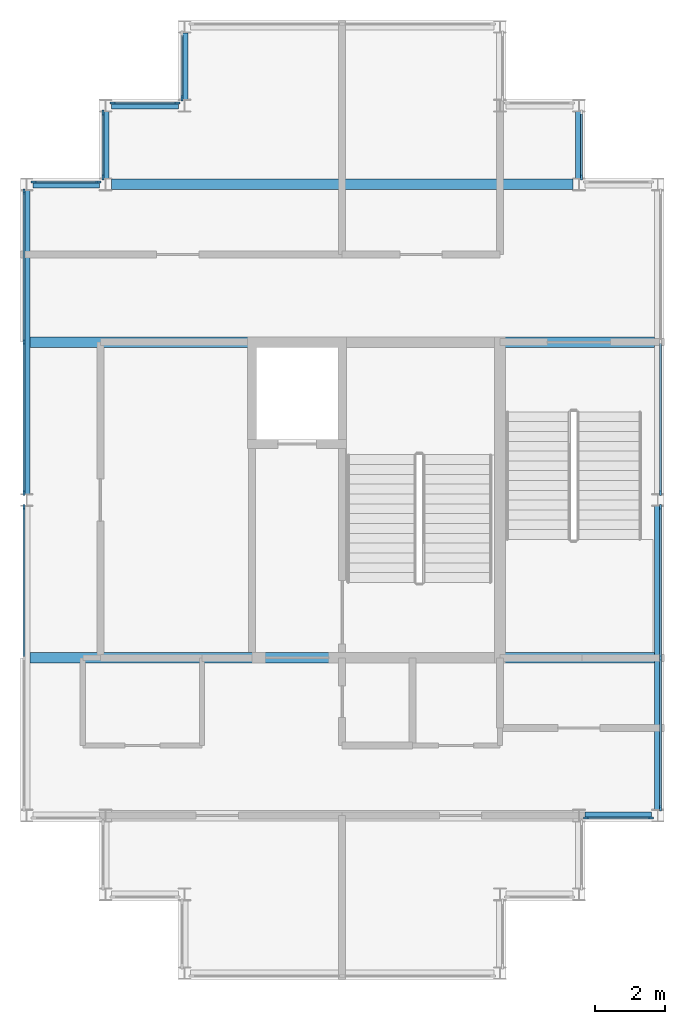
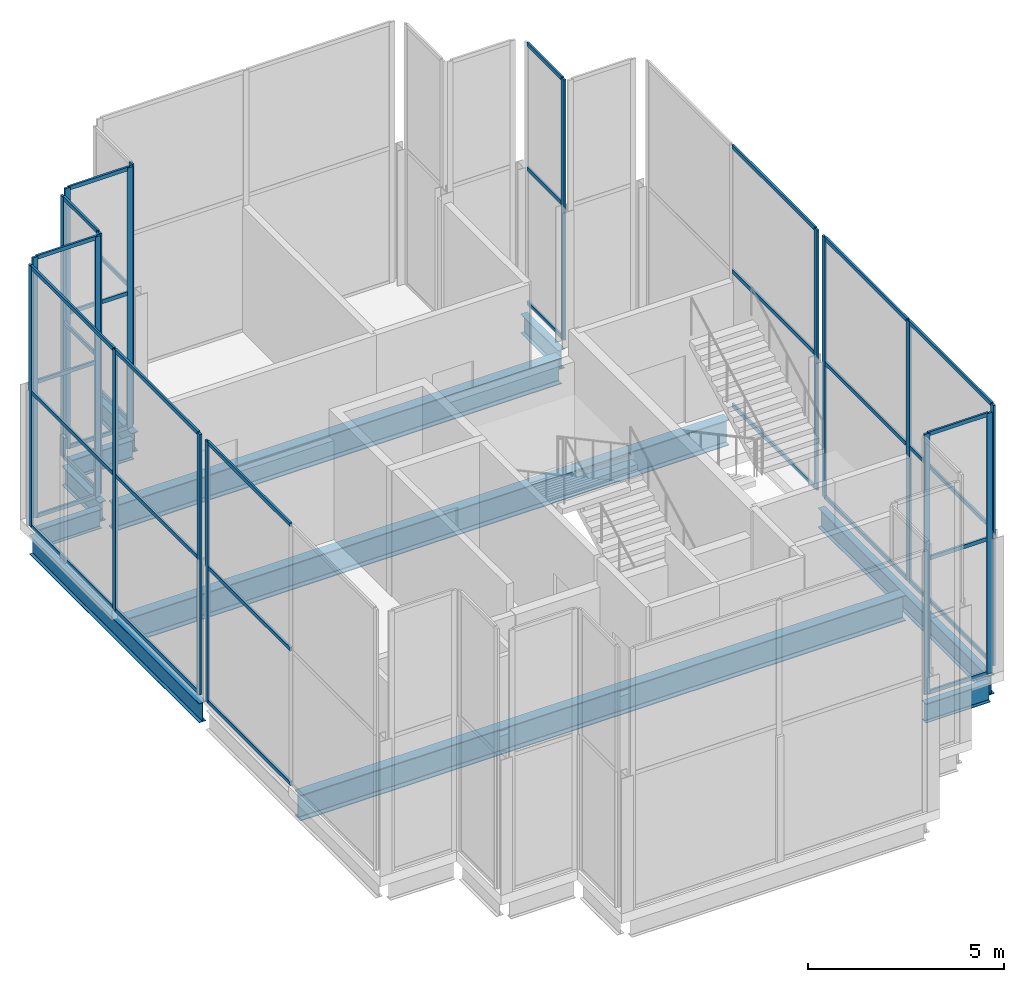
# One storey, part 2 of 8: 53 members, 11 beams, 10 elements without a shape of their own.
"""IFC4 building model written with IfcOpenShell, lengths in metres."""

import ifcopenshell
import ifcopenshell.guid

model = None  # the IFC model being written
_history = None  # IfcOwnerHistory: only IFC2X3 demands one
_inside = {}  # id of a spatial element -> (the spatial element, [elements in it])
_under = {}  # id of a project, library or spatial element -> (it, [spatial elements below it])
_declared = {}  # id of a project -> (the project, [libraries it declares])
_typed = {}  # id of a type object -> (the type object, [elements of that type])
_made_of = {}  # id of a material, layer set ... -> (it, [elements and type objects made of it])


def new_model(schema):
    """Start an empty IFC model of exactly this schema.

    Asked for "IFC4X3", IfcOpenShell would pick the latest addendum, in which some entities
    have other attributes; the version numbers below select the first issue.
    IFC2X3 requires an IfcOwnerHistory on every rooted entity: one is made here for all.
    """
    global model, _history
    if schema == "IFC4X3":
        model = ifcopenshell.file(schema_version=(4, 3, 0, 0))
    else:
        model = ifcopenshell.file(schema=schema)
    _inside.clear()
    _under.clear()
    _declared.clear()
    _typed.clear()
    _made_of.clear()
    _history = None
    if model.schema == "IFC2X3":
        org = make("IfcOrganization", Name="unknown")
        user = make(
            "IfcPersonAndOrganization",
            ThePerson=make("IfcPerson", FamilyName="unknown"),
            TheOrganization=org,
        )
        app = make(
            "IfcApplication",
            ApplicationDeveloper=org,
            Version="unknown",
            ApplicationFullName="unknown",
            ApplicationIdentifier="unknown",
        )
        _history = make(
            "IfcOwnerHistory",
            OwningUser=user,
            OwningApplication=app,
            ChangeAction="ADDED",
            CreationDate=0,
        )
    return model


def make(cls, **values):
    """One entity of the class cls with the attributes given. An attribute that is None is left unset."""
    return model.create_entity(
        cls, **{name: value for name, value in values.items() if value is not None}
    )


def rooted(cls, **values):
    """An entity with a GlobalId (a new one), such as an element, a storey or a relation."""
    return make(cls, GlobalId=ifcopenshell.guid.new(), OwnerHistory=_history, **values)


def si_unit(unit_type, name, prefix=None):
    """IfcSIUnit, for example si_unit("LENGTHUNIT", "METRE", prefix="MILLI")."""
    return make("IfcSIUnit", UnitType=unit_type, Prefix=prefix, Name=name)


def assignment(units):
    """IfcUnitAssignment: the units of a project."""
    return None if units is None else make("IfcUnitAssignment", Units=units)


def point(xyz):
    """IfcCartesianPoint."""
    return None if xyz is None else make("IfcCartesianPoint", Coordinates=xyz)


def direction(xyz):
    """IfcDirection."""
    return None if xyz is None else make("IfcDirection", DirectionRatios=xyz)


def frame(location, z_axis=None, x_axis=None):
    """IfcAxis2Placement3D, a coordinate frame: its origin and axes. An axis left out is left unset."""
    return make(
        "IfcAxis2Placement3D",
        Location=point(location),
        Axis=direction(z_axis),
        RefDirection=direction(x_axis),
    )


def frame_2d(location, x_axis=None):
    """IfcAxis2Placement2D, a coordinate frame in the plane: its origin and x axis."""
    return make(
        "IfcAxis2Placement2D", Location=point(location), RefDirection=direction(x_axis)
    )


def origin():
    """The frame at (0, 0, 0) with its axes left unset."""
    return frame((0.0, 0.0, 0.0))


def origin_2d():
    """The frame at (0, 0) in the plane with its x axis left unset."""
    return frame_2d((0.0, 0.0))


def place(relative_to, where):
    """IfcLocalPlacement: puts the frame where relative to a parent placement (None: the world)."""
    return make(
        "IfcLocalPlacement", PlacementRelTo=relative_to, RelativePlacement=where
    )


def context(
    kind, dimensions, precision=None, world=None, true_north=None, identifier=None
):
    """IfcGeometricRepresentationContext, for example the 3D "Model" context."""
    return make(
        "IfcGeometricRepresentationContext",
        ContextIdentifier=identifier,
        ContextType=kind,
        CoordinateSpaceDimension=dimensions,
        Precision=precision,
        WorldCoordinateSystem=world,
        TrueNorth=true_north,
    )


def subcontext(parent, identifier, kind, view, scale=None):
    """IfcGeometricRepresentationSubContext, for example "Body" below "Model"."""
    return make(
        "IfcGeometricRepresentationSubContext",
        ContextIdentifier=identifier,
        ContextType=kind,
        ParentContext=parent,
        TargetScale=scale,
        TargetView=view,
    )


def project(units=None, contexts=None):
    """IfcProject with its units and contexts."""
    return rooted(
        "IfcProject",
        Name="project",
        RepresentationContexts=contexts,
        UnitsInContext=assignment(units),
    )


def spatial(cls, under=None, at=None, **own):
    """A site, building, storey or space (cls), placed at a placement, below another one or the project."""
    s = rooted(cls, ObjectPlacement=at, **own)
    if under is not None:
        _under.setdefault(under.id(), (under, []))[1].append(s)
    return s


def profile(cls, at=None, kind="AREA", **sizes):
    """A parametric profile (cls). Its sizes go by their IFC names, for example OverallWidth=200.0."""
    return make(cls, ProfileType=kind, Position=at, **sizes)


def rectangle(**sizes):
    """IfcRectangleProfileDef."""
    return profile("IfcRectangleProfileDef", **sizes)


def i_section(**sizes):
    """IfcIShapeProfileDef."""
    return profile("IfcIShapeProfileDef", **sizes)


def extrude(swept, where, along, depth):
    """IfcExtrudedAreaSolid: the profile swept, set in the frame where, extruded along a direction by depth."""
    return make(
        "IfcExtrudedAreaSolid",
        SweptArea=swept,
        Position=where,
        ExtrudedDirection=direction(along),
        Depth=depth,
    )


def shape(context_of_items, identifier, shape_type, items):
    """IfcShapeRepresentation: the items that make up one representation, for example the "Body"."""
    return make(
        "IfcShapeRepresentation",
        ContextOfItems=context_of_items,
        RepresentationIdentifier=identifier,
        RepresentationType=shape_type,
        Items=items,
    )


def material(Name=None, Category=None):
    """IfcMaterial."""
    return make("IfcMaterial", Name=Name, Category=Category)


def layer(
    of_material, thickness, ventilated=None, Name=None, Category=None, Priority=None
):
    """IfcMaterialLayer: one layer of a wall or slab, of a material (None: an air gap)."""
    return make(
        "IfcMaterialLayer",
        Material=of_material,
        LayerThickness=thickness,
        IsVentilated=ventilated,
        Name=Name,
        Category=Category,
        Priority=Priority,
    )


def layer_set(layers, Name=None):
    """IfcMaterialLayerSet."""
    return make("IfcMaterialLayerSet", MaterialLayers=layers, LayerSetName=Name)


def material_profile(
    of_material, cross_section, Name=None, Category=None, Priority=None
):
    """IfcMaterialProfile: a cross section and its material."""
    return make(
        "IfcMaterialProfile",
        Name=Name,
        Material=of_material,
        Profile=cross_section,
        Priority=Priority,
        Category=Category,
    )


def profile_set(profiles, Name=None, composite=None):
    """IfcMaterialProfileSet."""
    return make(
        "IfcMaterialProfileSet",
        Name=Name,
        MaterialProfiles=profiles,
        CompositeProfile=composite,
    )


def made_of(thing, what):
    """Note that an element or type object is made of a material, layer set ...; save() writes the relation."""
    if what is not None:
        _made_of.setdefault(what.id(), (what, []))[1].append(thing)
    return thing


def type_object(cls, material=None, **own):
    """A type object (cls), such as IfcWallType, which elements share."""
    return made_of(rooted(cls, **own), material)


def element(
    cls,
    number,
    at=None,
    inside=None,
    cuts=None,
    type_object=None,
    material=None,
    context=None,
    identifier="Body",
    shape_type=None,
    held_by="IfcProductDefinitionShape",
    body=None,
    shapes=None,
    **own,
):
    """One element of the class cls, such as IfcWall. Its Tag is "e" and its number.

    at: its placement. inside: the storey or other place that contains it. cuts: it is an
    opening in that element (IfcRelVoidsElement). A single representation is given by context,
    identifier, shape_type and body (its items); several are given by shapes. held_by: the class
    of the entity that holds the representations. save() writes the other relations.
    """
    e = rooted(cls, Tag="e%d" % number, ObjectPlacement=at, **own)
    if body is not None:
        shapes = [shape(context, identifier, shape_type, body)]
    if shapes is not None:
        e.Representation = make(held_by, Representations=shapes)
    if inside is not None:
        _inside.setdefault(inside.id(), (inside, []))[1].append(e)
    if cuts is not None:
        rooted(
            "IfcRelVoidsElement", RelatingBuildingElement=cuts, RelatedOpeningElement=e
        )
    if type_object is not None:
        _typed.setdefault(type_object.id(), (type_object, []))[1].append(e)
    return made_of(e, material)


def aggregate(whole, parts):
    """IfcRelAggregates: a whole, such as a stair, and the parts it consists of."""
    return rooted("IfcRelAggregates", RelatingObject=whole, RelatedObjects=parts)


def save(model, path):
    """Write the relations noted so far, then the file.

    IfcRelAggregates (storeys below a building ...), IfcRelContainedInSpatialStructure (elements
    in a storey), IfcRelDefinesByType, IfcRelAssociatesMaterial and IfcRelDeclares: one each for
    every whole, place, type object, material and project.
    """
    for whole, parts in _under.values():
        aggregate(whole, parts)
    for where, things in _inside.values():
        rooted(
            "IfcRelContainedInSpatialStructure",
            RelatedElements=things,
            RelatingStructure=where,
        )
    for kind, things in _typed.values():
        rooted("IfcRelDefinesByType", RelatedObjects=things, RelatingType=kind)
    for what, things in _made_of.values():
        rooted("IfcRelAssociatesMaterial", RelatedObjects=things, RelatingMaterial=what)
    for by, libraries in _declared.values():
        rooted("IfcRelDeclares", RelatingContext=by, RelatedDefinitions=libraries)
    model.write(path)


model = new_model("IFC4")

# Units and contexts
model_context = context("Model", 3, precision=1e-05, world=origin(), true_north=direction((0.0, 1.0)))
body_context = subcontext(model_context, "Body", "Model", "MODEL_VIEW")
ifc_project = project(units=[si_unit("LENGTHUNIT", "METRE"), si_unit("AREAUNIT", "SQUARE_METRE"), si_unit("VOLUMEUNIT", "CUBIC_METRE"), si_unit("PLANEANGLEUNIT", "RADIAN"), si_unit("MASSUNIT", "GRAM", prefix="KILO")], contexts=[model_context])

# Site, building, storey
site_placement = place(None, origin())
site = spatial("IfcSite", under=ifc_project, at=site_placement, CompositionType="ELEMENT")
building_placement = place(site_placement, origin())
building = spatial("IfcBuilding", under=site, at=building_placement, Name="Caravel Reach Hotel and Residences", CompositionType="ELEMENT")
storey_placement = place(building_placement, frame((0.0, 0.0, 325.39990234375)))
storey = spatial("IfcBuildingStorey", under=building, at=storey_placement, Name="L82", CompositionType="ELEMENT", Elevation=325.39990234375)

# Beams
ifc_material_1 = material(Name="Structural steel Q355B", Category="steel")
ifc_material_profile_1 = material_profile(ifc_material_1, i_section(OverallWidth=0.300048828125, OverallDepth=0.800048828125, WebThickness=0.013916015625, FlangeThickness=0.02587890625, FilletRadius=0.01806640625, at=origin_2d()), Name="HN 800x300x14x26")
ifc_profile_set_1 = profile_set([ifc_material_profile_1], Name="Structural steel Q355B")
beam_type_1 = type_object("IfcBeamType", Name="Beam HN 800x300x14x26", PredefinedType="BEAM", material=ifc_profile_set_1)
for number, where, z_axis, x_axis, name in (
    (1, (31.60009765625, 22.5, -0.699951171875), (1.0, 0.0, 0.0), (0.0, 1.0, 0.0), "B4 HN 800x300x14x26"),
    (2, (31.60009765625, 31.5, -0.699951171875), (1.0, 0.0, 0.0), (0.0, 1.0, 0.0), "B4 HN 800x300x14x26"),
):
    element("IfcBeam", number, at=place(storey_placement, frame(where, z_axis=z_axis, x_axis=x_axis)), inside=storey, type_object=beam_type_1, Name=name, PredefinedType="BEAM", context=body_context, shape_type="SweptSolid", body=[
        extrude(i_section(OverallWidth=0.300048828125, OverallDepth=0.800048828125, WebThickness=0.013916015625, FlangeThickness=0.02587890625, FilletRadius=0.01806640625, at=origin_2d()), origin(), (0.0, 0.0, 1.0), 17.7998046875),
    ])
beam_1_placement = place(storey_placement, frame((33.925048828125, 36.0, -0.699951171875), z_axis=(1.0, 0.0, 0.0), x_axis=(0.0, 1.0, 0.0)))
element("IfcBeam", 3, at=beam_1_placement, inside=storey, type_object=beam_type_1, Name="B4 HN 800x300x14x26", PredefinedType="BEAM", context=body_context, shape_type="SweptSolid", body=[
    extrude(i_section(OverallWidth=0.300048828125, OverallDepth=0.800048828125, WebThickness=0.013916015625, FlangeThickness=0.02587890625, FilletRadius=0.01806640625, at=origin_2d()), origin(), (0.0, 0.0, 1.0), 13.14990234375),
])

# Curtain wall, members
ifc_material_2 = material(Name="Dark low-e glazing in black aluminium frame", Category="aluminium")
ifc_layer = layer(ifc_material_2, 0.199951171875)
ifc_layer_set = layer_set([ifc_layer], Name="CW4 Crown glazing")
curtain_wall_type = type_object("IfcCurtainWallType", Name="CW4 Crown glazing", PredefinedType="NOTDEFINED", material=ifc_layer_set)
curtain_wall_1_placement = place(storey_placement, origin())
curtain_wall_1 = element("IfcCurtainWall", 4, at=curtain_wall_1_placement, inside=storey, type_object=curtain_wall_type, Name="Crown glazing b0", PredefinedType="NOTDEFINED")
ifc_material_3 = material(Name="Anodised aluminium alloy 6063-T5, black", Category="aluminium")
ifc_material_profile_2 = material_profile(ifc_material_3, rectangle(XDim=0.06005859375, YDim=0.159912109375, at=origin_2d()), Name="CW mullion 60 x 160")
ifc_profile_set_2 = profile_set([ifc_material_profile_2], Name="Anodised aluminium alloy 6063-T5, black")
member_type_1 = type_object("IfcMemberType", Name="CW mullion 60 x 160", PredefinedType="MULLION", material=ifc_profile_set_2)
member_1_placement = place(storey_placement, frame((47.455078125, 17.925048828125, 0.0), z_axis=(0.0, 0.0, 1.0), x_axis=(0.0, 1.0, 0.0)))
member_1 = element("IfcMember", 5, at=member_1_placement, type_object=member_type_1, Name="CW4 mullion 1", PredefinedType="MULLION", context=body_context, shape_type="SweptSolid", body=[
    extrude(rectangle(XDim=0.06005859375, YDim=0.159912109375, at=origin_2d()), origin(), (0.0, 0.0, 1.0), 8.10009765625),
])
member_2_placement = place(storey_placement, frame((49.294921875, 17.925048828125, 0.0), z_axis=(0.0, 0.0, 1.0), x_axis=(0.0, 1.0, 0.0)))
member_2 = element("IfcMember", 6, at=member_2_placement, type_object=member_type_1, Name="CW4 mullion 2", PredefinedType="MULLION", context=body_context, shape_type="SweptSolid", body=[
    extrude(rectangle(XDim=0.06005859375, YDim=0.159912109375, at=origin_2d()), origin(), (0.0, 0.0, 1.0), 8.10009765625),
])

curtain_wall_2_placement = place(storey_placement, origin())
curtain_wall_2 = element("IfcCurtainWall", 7, at=curtain_wall_2_placement, inside=storey, type_object=curtain_wall_type, Name="Crown glazing b0", PredefinedType="NOTDEFINED")
member_3_placement = place(storey_placement, frame((49.574951171875, 18.205078125, 0.0), z_axis=(0.0, 0.0, 1.0), x_axis=(-1.0, 0.0, 0.0)))
member_3 = element("IfcMember", 8, at=member_3_placement, type_object=member_type_1, Name="CW4 mullion 1", PredefinedType="MULLION", context=body_context, shape_type="SweptSolid", body=[
    extrude(rectangle(XDim=0.06005859375, YDim=0.159912109375, at=origin_2d()), origin(), (0.0, 0.0, 1.0), 8.10009765625),
])
member_4_placement = place(storey_placement, frame((49.574951171875, 22.5, 0.0), z_axis=(0.0, 0.0, 1.0), x_axis=(-1.0, 0.0, 0.0)))
member_4 = element("IfcMember", 9, at=member_4_placement, type_object=member_type_1, Name="CW4 mullion 2", PredefinedType="MULLION", context=body_context, shape_type="SweptSolid", body=[
    extrude(rectangle(XDim=0.06005859375, YDim=0.159912109375, at=origin_2d()), origin(), (0.0, 0.0, 1.0), 8.10009765625),
])
member_5_placement = place(storey_placement, frame((49.574951171875, 26.794921875, 0.0), z_axis=(0.0, 0.0, 1.0), x_axis=(-1.0, 0.0, 0.0)))
member_5 = element("IfcMember", 10, at=member_5_placement, type_object=member_type_1, Name="CW4 mullion 3", PredefinedType="MULLION", context=body_context, shape_type="SweptSolid", body=[
    extrude(rectangle(XDim=0.06005859375, YDim=0.159912109375, at=origin_2d()), origin(), (0.0, 0.0, 1.0), 8.10009765625),
])

# Curtain wall, member
curtain_wall_3_placement = place(storey_placement, origin())
curtain_wall_3 = element("IfcCurtainWall", 11, at=curtain_wall_3_placement, inside=storey, type_object=curtain_wall_type, Name="Crown glazing b1", PredefinedType="NOTDEFINED")
member_6_placement = place(storey_placement, frame((49.574951171875, 27.205078125, 0.0), z_axis=(0.0, 0.0, 1.0), x_axis=(-1.0, 0.0, 0.0)))
member_6 = element("IfcMember", 12, at=member_6_placement, type_object=member_type_1, Name="CW4 mullion 1", PredefinedType="MULLION", context=body_context, shape_type="SweptSolid", body=[
    extrude(rectangle(XDim=0.06005859375, YDim=0.159912109375, at=origin_2d()), origin(), (0.0, 0.0, 1.0), 8.10009765625),
])

curtain_wall_4_placement = place(storey_placement, origin())
curtain_wall_4 = element("IfcCurtainWall", 13, at=curtain_wall_4_placement, inside=storey, type_object=curtain_wall_type, Name="Crown glazing b0", PredefinedType="NOTDEFINED")
member_7_placement = place(storey_placement, frame((47.324951171875, 36.205078125, 0.0), z_axis=(0.0, 0.0, 1.0), x_axis=(-1.0, 0.0, 0.0)))
member_7 = element("IfcMember", 14, at=member_7_placement, type_object=member_type_1, Name="CW4 mullion 1", PredefinedType="MULLION", context=body_context, shape_type="SweptSolid", body=[
    extrude(rectangle(XDim=0.06005859375, YDim=0.159912109375, at=origin_2d()), origin(), (0.0, 0.0, 1.0), 8.10009765625),
])

curtain_wall_5_placement = place(storey_placement, origin())
curtain_wall_5 = element("IfcCurtainWall", 15, at=curtain_wall_5_placement, inside=storey, type_object=curtain_wall_type, Name="Crown glazing b0", PredefinedType="NOTDEFINED")
member_8_placement = place(storey_placement, frame((35.925048828125, 38.455078125, 0.0), z_axis=(0.0, 0.0, 1.0), x_axis=(1.0, 0.0, 0.0)))
member_8 = element("IfcMember", 16, at=member_8_placement, type_object=member_type_1, Name="CW4 mullion 2", PredefinedType="MULLION", context=body_context, shape_type="SweptSolid", body=[
    extrude(rectangle(XDim=0.06005859375, YDim=0.159912109375, at=origin_2d()), origin(), (0.0, 0.0, 1.0), 8.10009765625),
])

# Curtain wall, members
curtain_wall_6_placement = place(storey_placement, origin())
curtain_wall_6 = element("IfcCurtainWall", 17, at=curtain_wall_6_placement, inside=storey, type_object=curtain_wall_type, Name="Crown glazing b0", PredefinedType="NOTDEFINED")
member_9_placement = place(storey_placement, frame((35.794921875, 38.324951171875, 0.0), z_axis=(0.0, 0.0, 1.0), x_axis=(0.0, -1.0, 0.0)))
member_9 = element("IfcMember", 18, at=member_9_placement, type_object=member_type_1, Name="CW4 mullion 1", PredefinedType="MULLION", context=body_context, shape_type="SweptSolid", body=[
    extrude(rectangle(XDim=0.06005859375, YDim=0.159912109375, at=origin_2d()), origin(), (0.0, 0.0, 1.0), 8.10009765625),
])
member_10_placement = place(storey_placement, frame((33.955078125, 38.324951171875, 0.0), z_axis=(0.0, 0.0, 1.0), x_axis=(0.0, -1.0, 0.0)))
member_10 = element("IfcMember", 19, at=member_10_placement, type_object=member_type_1, Name="CW4 mullion 2", PredefinedType="MULLION", context=body_context, shape_type="SweptSolid", body=[
    extrude(rectangle(XDim=0.06005859375, YDim=0.159912109375, at=origin_2d()), origin(), (0.0, 0.0, 1.0), 8.10009765625),
])

curtain_wall_7_placement = place(storey_placement, origin())
curtain_wall_7 = element("IfcCurtainWall", 20, at=curtain_wall_7_placement, inside=storey, type_object=curtain_wall_type, Name="Crown glazing b0", PredefinedType="NOTDEFINED")
member_11_placement = place(storey_placement, frame((33.675048828125, 38.044921875, 0.0), z_axis=(0.0, 0.0, 1.0), x_axis=(1.0, 0.0, 0.0)))
member_11 = element("IfcMember", 21, at=member_11_placement, type_object=member_type_1, Name="CW4 mullion 1", PredefinedType="MULLION", context=body_context, shape_type="SweptSolid", body=[
    extrude(rectangle(XDim=0.06005859375, YDim=0.159912109375, at=origin_2d()), origin(), (0.0, 0.0, 1.0), 8.10009765625),
])
member_12_placement = place(storey_placement, frame((33.675048828125, 36.205078125, 0.0), z_axis=(0.0, 0.0, 1.0), x_axis=(1.0, 0.0, 0.0)))
member_12 = element("IfcMember", 22, at=member_12_placement, type_object=member_type_1, Name="CW4 mullion 2", PredefinedType="MULLION", context=body_context, shape_type="SweptSolid", body=[
    extrude(rectangle(XDim=0.06005859375, YDim=0.159912109375, at=origin_2d()), origin(), (0.0, 0.0, 1.0), 8.10009765625),
])

curtain_wall_8_placement = place(storey_placement, origin())
curtain_wall_8 = element("IfcCurtainWall", 23, at=curtain_wall_8_placement, inside=storey, type_object=curtain_wall_type, Name="Crown glazing b0", PredefinedType="NOTDEFINED")
member_13_placement = place(storey_placement, frame((33.544921875, 36.074951171875, 0.0), z_axis=(0.0, 0.0, 1.0), x_axis=(0.0, -1.0, 0.0)))
member_13 = element("IfcMember", 24, at=member_13_placement, type_object=member_type_1, Name="CW4 mullion 1", PredefinedType="MULLION", context=body_context, shape_type="SweptSolid", body=[
    extrude(rectangle(XDim=0.06005859375, YDim=0.159912109375, at=origin_2d()), origin(), (0.0, 0.0, 1.0), 8.10009765625),
])
member_14_placement = place(storey_placement, frame((31.705078125, 36.074951171875, 0.0), z_axis=(0.0, 0.0, 1.0), x_axis=(0.0, -1.0, 0.0)))
member_14 = element("IfcMember", 25, at=member_14_placement, type_object=member_type_1, Name="CW4 mullion 2", PredefinedType="MULLION", context=body_context, shape_type="SweptSolid", body=[
    extrude(rectangle(XDim=0.06005859375, YDim=0.159912109375, at=origin_2d()), origin(), (0.0, 0.0, 1.0), 8.10009765625),
])

curtain_wall_9_placement = place(storey_placement, origin())
curtain_wall_9 = element("IfcCurtainWall", 26, at=curtain_wall_9_placement, inside=storey, type_object=curtain_wall_type, Name="Crown glazing b0", PredefinedType="NOTDEFINED")
member_15_placement = place(storey_placement, frame((31.425048828125, 35.794921875, 0.0), z_axis=(0.0, 0.0, 1.0), x_axis=(1.0, 0.0, 0.0)))
member_15 = element("IfcMember", 27, at=member_15_placement, type_object=member_type_1, Name="CW4 mullion 1", PredefinedType="MULLION", context=body_context, shape_type="SweptSolid", body=[
    extrude(rectangle(XDim=0.06005859375, YDim=0.159912109375, at=origin_2d()), origin(), (0.0, 0.0, 1.0), 8.10009765625),
])
member_16_placement = place(storey_placement, frame((31.425048828125, 31.5, 0.0), z_axis=(0.0, 0.0, 1.0), x_axis=(1.0, 0.0, 0.0)))
member_16 = element("IfcMember", 28, at=member_16_placement, type_object=member_type_1, Name="CW4 mullion 2", PredefinedType="MULLION", context=body_context, shape_type="SweptSolid", body=[
    extrude(rectangle(XDim=0.06005859375, YDim=0.159912109375, at=origin_2d()), origin(), (0.0, 0.0, 1.0), 8.10009765625),
])
member_17_placement = place(storey_placement, frame((31.425048828125, 27.205078125, 0.0), z_axis=(0.0, 0.0, 1.0), x_axis=(1.0, 0.0, 0.0)))
member_17 = element("IfcMember", 29, at=member_17_placement, type_object=member_type_1, Name="CW4 mullion 3", PredefinedType="MULLION", context=body_context, shape_type="SweptSolid", body=[
    extrude(rectangle(XDim=0.06005859375, YDim=0.159912109375, at=origin_2d()), origin(), (0.0, 0.0, 1.0), 8.10009765625),
])

# Curtain wall, member
curtain_wall_10_placement = place(storey_placement, origin())
curtain_wall_10 = element("IfcCurtainWall", 30, at=curtain_wall_10_placement, inside=storey, type_object=curtain_wall_type, Name="Crown glazing b1", PredefinedType="NOTDEFINED")
member_18_placement = place(storey_placement, frame((31.425048828125, 26.794921875, 0.0), z_axis=(0.0, 0.0, 1.0), x_axis=(1.0, 0.0, 0.0)))
member_18 = element("IfcMember", 31, at=member_18_placement, type_object=member_type_1, Name="CW4 mullion 1", PredefinedType="MULLION", context=body_context, shape_type="SweptSolid", body=[
    extrude(rectangle(XDim=0.06005859375, YDim=0.159912109375, at=origin_2d()), origin(), (0.0, 0.0, 1.0), 8.10009765625),
])

# Member
ifc_material_4 = material(Name="Anodised aluminium alloy 6063-T5, black", Category="aluminium")
ifc_material_profile_3 = material_profile(ifc_material_4, rectangle(XDim=0.06005859375, YDim=0.1201171875, at=origin_2d()), Name="CW transom 60 x 120")
ifc_profile_set_3 = profile_set([ifc_material_profile_3], Name="Anodised aluminium alloy 6063-T5, black")
member_type_2 = type_object("IfcMemberType", Name="CW transom 60 x 120", PredefinedType="USERDEFINED", material=ifc_profile_set_3)
member_19_placement = place(storey_placement, frame((47.485107421875, 17.925048828125, 0.030029296875), z_axis=(1.0, 0.0, 0.0), x_axis=(0.0, 1.0, 0.0)))
member_19 = element("IfcMember", 32, at=member_19_placement, type_object=member_type_2, Name="CW4 transom 1.1", ObjectType="TRANSOM", PredefinedType="USERDEFINED", context=body_context, shape_type="SweptSolid", body=[
    extrude(rectangle(XDim=0.06005859375, YDim=0.1201171875, at=origin_2d()), origin(), (0.0, 0.0, 1.0), 1.77978515625),
])

member_20_placement = place(storey_placement, frame((47.485107421875, 17.925048828125, 4.2001953125), z_axis=(1.0, 0.0, 0.0), x_axis=(0.0, 1.0, 0.0)))
member_20 = element("IfcMember", 33, at=member_20_placement, type_object=member_type_2, Name="CW4 transom 1.2", ObjectType="TRANSOM", PredefinedType="USERDEFINED", context=body_context, shape_type="SweptSolid", body=[
    extrude(rectangle(XDim=0.06005859375, YDim=0.1201171875, at=origin_2d()), origin(), (0.0, 0.0, 1.0), 1.77978515625),
])

member_21_placement = place(storey_placement, frame((47.485107421875, 17.925048828125, 8.070068359375), z_axis=(1.0, 0.0, 0.0), x_axis=(0.0, 1.0, 0.0)))
member_21 = element("IfcMember", 34, at=member_21_placement, type_object=member_type_2, Name="CW4 transom 1.3", ObjectType="TRANSOM", PredefinedType="USERDEFINED", context=body_context, shape_type="SweptSolid", body=[
    extrude(rectangle(XDim=0.06005859375, YDim=0.1201171875, at=origin_2d()), origin(), (0.0, 0.0, 1.0), 1.77978515625),
])

aggregate(curtain_wall_1, [member_1, member_2, member_19, member_20, member_21])

member_22_placement = place(storey_placement, frame((49.574951171875, 18.235107421875, 0.030029296875), z_axis=(0.0, 1.0, 0.0), x_axis=(-1.0, 0.0, 0.0)))
member_22 = element("IfcMember", 35, at=member_22_placement, type_object=member_type_2, Name="CW4 transom 1.1", ObjectType="TRANSOM", PredefinedType="USERDEFINED", context=body_context, shape_type="SweptSolid", body=[
    extrude(rectangle(XDim=0.06005859375, YDim=0.1201171875, at=origin_2d()), origin(), (0.0, 0.0, 1.0), 4.23486328125),
])

member_23_placement = place(storey_placement, frame((49.574951171875, 18.235107421875, 4.2001953125), z_axis=(0.0, 1.0, 0.0), x_axis=(-1.0, 0.0, 0.0)))
member_23 = element("IfcMember", 36, at=member_23_placement, type_object=member_type_2, Name="CW4 transom 1.2", ObjectType="TRANSOM", PredefinedType="USERDEFINED", context=body_context, shape_type="SweptSolid", body=[
    extrude(rectangle(XDim=0.06005859375, YDim=0.1201171875, at=origin_2d()), origin(), (0.0, 0.0, 1.0), 4.23486328125),
])

member_24_placement = place(storey_placement, frame((49.574951171875, 18.235107421875, 8.070068359375), z_axis=(0.0, 1.0, 0.0), x_axis=(-1.0, 0.0, 0.0)))
member_24 = element("IfcMember", 37, at=member_24_placement, type_object=member_type_2, Name="CW4 transom 1.3", ObjectType="TRANSOM", PredefinedType="USERDEFINED", context=body_context, shape_type="SweptSolid", body=[
    extrude(rectangle(XDim=0.06005859375, YDim=0.1201171875, at=origin_2d()), origin(), (0.0, 0.0, 1.0), 4.23486328125),
])

member_25_placement = place(storey_placement, frame((49.574951171875, 22.530029296875, 0.030029296875), z_axis=(0.0, 1.0, 0.0), x_axis=(-1.0, 0.0, 0.0)))
member_25 = element("IfcMember", 38, at=member_25_placement, type_object=member_type_2, Name="CW4 transom 2.1", ObjectType="TRANSOM", PredefinedType="USERDEFINED", context=body_context, shape_type="SweptSolid", body=[
    extrude(rectangle(XDim=0.06005859375, YDim=0.1201171875, at=origin_2d()), origin(), (0.0, 0.0, 1.0), 4.23486328125),
])

member_26_placement = place(storey_placement, frame((49.574951171875, 22.530029296875, 4.2001953125), z_axis=(0.0, 1.0, 0.0), x_axis=(-1.0, 0.0, 0.0)))
member_26 = element("IfcMember", 39, at=member_26_placement, type_object=member_type_2, Name="CW4 transom 2.2", ObjectType="TRANSOM", PredefinedType="USERDEFINED", context=body_context, shape_type="SweptSolid", body=[
    extrude(rectangle(XDim=0.06005859375, YDim=0.1201171875, at=origin_2d()), origin(), (0.0, 0.0, 1.0), 4.23486328125),
])

member_27_placement = place(storey_placement, frame((49.574951171875, 22.530029296875, 8.070068359375), z_axis=(0.0, 1.0, 0.0), x_axis=(-1.0, 0.0, 0.0)))
member_27 = element("IfcMember", 40, at=member_27_placement, type_object=member_type_2, Name="CW4 transom 2.3", ObjectType="TRANSOM", PredefinedType="USERDEFINED", context=body_context, shape_type="SweptSolid", body=[
    extrude(rectangle(XDim=0.06005859375, YDim=0.1201171875, at=origin_2d()), origin(), (0.0, 0.0, 1.0), 4.23486328125),
])

aggregate(curtain_wall_2, [member_3, member_4, member_5, member_22, member_23, member_24, member_25, member_26, member_27])

member_28_placement = place(storey_placement, frame((49.574951171875, 27.235107421875, 0.030029296875), z_axis=(0.0, 1.0, 0.0), x_axis=(-1.0, 0.0, 0.0)))
member_28 = element("IfcMember", 41, at=member_28_placement, type_object=member_type_2, Name="CW4 transom 1.1", ObjectType="TRANSOM", PredefinedType="USERDEFINED", context=body_context, shape_type="SweptSolid", body=[
    extrude(rectangle(XDim=0.06005859375, YDim=0.1201171875, at=origin_2d()), origin(), (0.0, 0.0, 1.0), 4.23486328125),
])

member_29_placement = place(storey_placement, frame((49.574951171875, 27.235107421875, 4.2001953125), z_axis=(0.0, 1.0, 0.0), x_axis=(-1.0, 0.0, 0.0)))
member_29 = element("IfcMember", 42, at=member_29_placement, type_object=member_type_2, Name="CW4 transom 1.2", ObjectType="TRANSOM", PredefinedType="USERDEFINED", context=body_context, shape_type="SweptSolid", body=[
    extrude(rectangle(XDim=0.06005859375, YDim=0.1201171875, at=origin_2d()), origin(), (0.0, 0.0, 1.0), 4.23486328125),
])

member_30_placement = place(storey_placement, frame((49.574951171875, 27.235107421875, 8.070068359375), z_axis=(0.0, 1.0, 0.0), x_axis=(-1.0, 0.0, 0.0)))
member_30 = element("IfcMember", 43, at=member_30_placement, type_object=member_type_2, Name="CW4 transom 1.3", ObjectType="TRANSOM", PredefinedType="USERDEFINED", context=body_context, shape_type="SweptSolid", body=[
    extrude(rectangle(XDim=0.06005859375, YDim=0.1201171875, at=origin_2d()), origin(), (0.0, 0.0, 1.0), 4.23486328125),
])

aggregate(curtain_wall_3, [member_6, member_28, member_29, member_30])

member_31_placement = place(storey_placement, frame((47.324951171875, 36.235107421875, 0.030029296875), z_axis=(0.0, 1.0, 0.0), x_axis=(-1.0, 0.0, 0.0)))
member_31 = element("IfcMember", 44, at=member_31_placement, type_object=member_type_2, Name="CW4 transom 1.1", ObjectType="TRANSOM", PredefinedType="USERDEFINED", context=body_context, shape_type="SweptSolid", body=[
    extrude(rectangle(XDim=0.06005859375, YDim=0.1201171875, at=origin_2d()), origin(), (0.0, 0.0, 1.0), 1.77978515625),
])

member_32_placement = place(storey_placement, frame((47.324951171875, 36.235107421875, 4.2001953125), z_axis=(0.0, 1.0, 0.0), x_axis=(-1.0, 0.0, 0.0)))
member_32 = element("IfcMember", 45, at=member_32_placement, type_object=member_type_2, Name="CW4 transom 1.2", ObjectType="TRANSOM", PredefinedType="USERDEFINED", context=body_context, shape_type="SweptSolid", body=[
    extrude(rectangle(XDim=0.06005859375, YDim=0.1201171875, at=origin_2d()), origin(), (0.0, 0.0, 1.0), 1.77978515625),
])

member_33_placement = place(storey_placement, frame((47.324951171875, 36.235107421875, 8.070068359375), z_axis=(0.0, 1.0, 0.0), x_axis=(-1.0, 0.0, 0.0)))
member_33 = element("IfcMember", 46, at=member_33_placement, type_object=member_type_2, Name="CW4 transom 1.3", ObjectType="TRANSOM", PredefinedType="USERDEFINED", context=body_context, shape_type="SweptSolid", body=[
    extrude(rectangle(XDim=0.06005859375, YDim=0.1201171875, at=origin_2d()), origin(), (0.0, 0.0, 1.0), 1.77978515625),
])

aggregate(curtain_wall_4, [member_7, member_31, member_32, member_33])

member_34_placement = place(storey_placement, frame((35.925048828125, 40.264892578125, 0.030029296875), z_axis=(0.0, -1.0, 0.0), x_axis=(1.0, 0.0, 0.0)))
member_34 = element("IfcMember", 47, at=member_34_placement, type_object=member_type_2, Name="CW4 transom 1.1", ObjectType="TRANSOM", PredefinedType="USERDEFINED", context=body_context, shape_type="SweptSolid", body=[
    extrude(rectangle(XDim=0.06005859375, YDim=0.1201171875, at=origin_2d()), origin(), (0.0, 0.0, 1.0), 1.77978515625),
])

member_35_placement = place(storey_placement, frame((35.925048828125, 40.264892578125, 4.2001953125), z_axis=(0.0, -1.0, 0.0), x_axis=(1.0, 0.0, 0.0)))
member_35 = element("IfcMember", 48, at=member_35_placement, type_object=member_type_2, Name="CW4 transom 1.2", ObjectType="TRANSOM", PredefinedType="USERDEFINED", context=body_context, shape_type="SweptSolid", body=[
    extrude(rectangle(XDim=0.06005859375, YDim=0.1201171875, at=origin_2d()), origin(), (0.0, 0.0, 1.0), 1.77978515625),
])

aggregate(curtain_wall_5, [member_8, member_34, member_35])

member_36_placement = place(storey_placement, frame((35.764892578125, 38.324951171875, 0.030029296875), z_axis=(-1.0, 0.0, 0.0), x_axis=(0.0, -1.0, 0.0)))
member_36 = element("IfcMember", 49, at=member_36_placement, type_object=member_type_2, Name="CW4 transom 1.1", ObjectType="TRANSOM", PredefinedType="USERDEFINED", context=body_context, shape_type="SweptSolid", body=[
    extrude(rectangle(XDim=0.06005859375, YDim=0.1201171875, at=origin_2d()), origin(), (0.0, 0.0, 1.0), 1.77978515625),
])

member_37_placement = place(storey_placement, frame((35.764892578125, 38.324951171875, 4.2001953125), z_axis=(-1.0, 0.0, 0.0), x_axis=(0.0, -1.0, 0.0)))
member_37 = element("IfcMember", 50, at=member_37_placement, type_object=member_type_2, Name="CW4 transom 1.2", ObjectType="TRANSOM", PredefinedType="USERDEFINED", context=body_context, shape_type="SweptSolid", body=[
    extrude(rectangle(XDim=0.06005859375, YDim=0.1201171875, at=origin_2d()), origin(), (0.0, 0.0, 1.0), 1.77978515625),
])

member_38_placement = place(storey_placement, frame((35.764892578125, 38.324951171875, 8.070068359375), z_axis=(-1.0, 0.0, 0.0), x_axis=(0.0, -1.0, 0.0)))
member_38 = element("IfcMember", 51, at=member_38_placement, type_object=member_type_2, Name="CW4 transom 1.3", ObjectType="TRANSOM", PredefinedType="USERDEFINED", context=body_context, shape_type="SweptSolid", body=[
    extrude(rectangle(XDim=0.06005859375, YDim=0.1201171875, at=origin_2d()), origin(), (0.0, 0.0, 1.0), 1.77978515625),
])

aggregate(curtain_wall_6, [member_9, member_10, member_36, member_37, member_38])

member_39_placement = place(storey_placement, frame((33.675048828125, 38.014892578125, 0.030029296875), z_axis=(0.0, -1.0, 0.0), x_axis=(1.0, 0.0, 0.0)))
member_39 = element("IfcMember", 52, at=member_39_placement, type_object=member_type_2, Name="CW4 transom 1.1", ObjectType="TRANSOM", PredefinedType="USERDEFINED", context=body_context, shape_type="SweptSolid", body=[
    extrude(rectangle(XDim=0.06005859375, YDim=0.1201171875, at=origin_2d()), origin(), (0.0, 0.0, 1.0), 1.77978515625),
])

member_40_placement = place(storey_placement, frame((33.675048828125, 38.014892578125, 4.2001953125), z_axis=(0.0, -1.0, 0.0), x_axis=(1.0, 0.0, 0.0)))
member_40 = element("IfcMember", 53, at=member_40_placement, type_object=member_type_2, Name="CW4 transom 1.2", ObjectType="TRANSOM", PredefinedType="USERDEFINED", context=body_context, shape_type="SweptSolid", body=[
    extrude(rectangle(XDim=0.06005859375, YDim=0.1201171875, at=origin_2d()), origin(), (0.0, 0.0, 1.0), 1.77978515625),
])

member_41_placement = place(storey_placement, frame((33.675048828125, 38.014892578125, 8.070068359375), z_axis=(0.0, -1.0, 0.0), x_axis=(1.0, 0.0, 0.0)))
member_41 = element("IfcMember", 54, at=member_41_placement, type_object=member_type_2, Name="CW4 transom 1.3", ObjectType="TRANSOM", PredefinedType="USERDEFINED", context=body_context, shape_type="SweptSolid", body=[
    extrude(rectangle(XDim=0.06005859375, YDim=0.1201171875, at=origin_2d()), origin(), (0.0, 0.0, 1.0), 1.77978515625),
])

aggregate(curtain_wall_7, [member_11, member_12, member_39, member_40, member_41])

member_42_placement = place(storey_placement, frame((33.514892578125, 36.074951171875, 0.030029296875), z_axis=(-1.0, 0.0, 0.0), x_axis=(0.0, -1.0, 0.0)))
member_42 = element("IfcMember", 55, at=member_42_placement, type_object=member_type_2, Name="CW4 transom 1.1", ObjectType="TRANSOM", PredefinedType="USERDEFINED", context=body_context, shape_type="SweptSolid", body=[
    extrude(rectangle(XDim=0.06005859375, YDim=0.1201171875, at=origin_2d()), origin(), (0.0, 0.0, 1.0), 1.77978515625),
])

member_43_placement = place(storey_placement, frame((33.514892578125, 36.074951171875, 4.2001953125), z_axis=(-1.0, 0.0, 0.0), x_axis=(0.0, -1.0, 0.0)))
member_43 = element("IfcMember", 56, at=member_43_placement, type_object=member_type_2, Name="CW4 transom 1.2", ObjectType="TRANSOM", PredefinedType="USERDEFINED", context=body_context, shape_type="SweptSolid", body=[
    extrude(rectangle(XDim=0.06005859375, YDim=0.1201171875, at=origin_2d()), origin(), (0.0, 0.0, 1.0), 1.77978515625),
])

member_44_placement = place(storey_placement, frame((33.514892578125, 36.074951171875, 8.070068359375), z_axis=(-1.0, 0.0, 0.0), x_axis=(0.0, -1.0, 0.0)))
member_44 = element("IfcMember", 57, at=member_44_placement, type_object=member_type_2, Name="CW4 transom 1.3", ObjectType="TRANSOM", PredefinedType="USERDEFINED", context=body_context, shape_type="SweptSolid", body=[
    extrude(rectangle(XDim=0.06005859375, YDim=0.1201171875, at=origin_2d()), origin(), (0.0, 0.0, 1.0), 1.77978515625),
])

aggregate(curtain_wall_8, [member_13, member_14, member_42, member_43, member_44])

member_45_placement = place(storey_placement, frame((31.425048828125, 35.764892578125, 0.030029296875), z_axis=(0.0, -1.0, 0.0), x_axis=(1.0, 0.0, 0.0)))
member_45 = element("IfcMember", 58, at=member_45_placement, type_object=member_type_2, Name="CW4 transom 1.1", ObjectType="TRANSOM", PredefinedType="USERDEFINED", context=body_context, shape_type="SweptSolid", body=[
    extrude(rectangle(XDim=0.06005859375, YDim=0.1201171875, at=origin_2d()), origin(), (0.0, 0.0, 1.0), 4.23486328125),
])

member_46_placement = place(storey_placement, frame((31.425048828125, 35.764892578125, 4.2001953125), z_axis=(0.0, -1.0, 0.0), x_axis=(1.0, 0.0, 0.0)))
member_46 = element("IfcMember", 59, at=member_46_placement, type_object=member_type_2, Name="CW4 transom 1.2", ObjectType="TRANSOM", PredefinedType="USERDEFINED", context=body_context, shape_type="SweptSolid", body=[
    extrude(rectangle(XDim=0.06005859375, YDim=0.1201171875, at=origin_2d()), origin(), (0.0, 0.0, 1.0), 4.23486328125),
])

member_47_placement = place(storey_placement, frame((31.425048828125, 35.764892578125, 8.070068359375), z_axis=(0.0, -1.0, 0.0), x_axis=(1.0, 0.0, 0.0)))
member_47 = element("IfcMember", 60, at=member_47_placement, type_object=member_type_2, Name="CW4 transom 1.3", ObjectType="TRANSOM", PredefinedType="USERDEFINED", context=body_context, shape_type="SweptSolid", body=[
    extrude(rectangle(XDim=0.06005859375, YDim=0.1201171875, at=origin_2d()), origin(), (0.0, 0.0, 1.0), 4.23486328125),
])

member_48_placement = place(storey_placement, frame((31.425048828125, 31.469970703125, 0.030029296875), z_axis=(0.0, -1.0, 0.0), x_axis=(1.0, 0.0, 0.0)))
member_48 = element("IfcMember", 61, at=member_48_placement, type_object=member_type_2, Name="CW4 transom 2.1", ObjectType="TRANSOM", PredefinedType="USERDEFINED", context=body_context, shape_type="SweptSolid", body=[
    extrude(rectangle(XDim=0.06005859375, YDim=0.1201171875, at=origin_2d()), origin(), (0.0, 0.0, 1.0), 4.23486328125),
])

member_49_placement = place(storey_placement, frame((31.425048828125, 31.469970703125, 4.2001953125), z_axis=(0.0, -1.0, 0.0), x_axis=(1.0, 0.0, 0.0)))
member_49 = element("IfcMember", 62, at=member_49_placement, type_object=member_type_2, Name="CW4 transom 2.2", ObjectType="TRANSOM", PredefinedType="USERDEFINED", context=body_context, shape_type="SweptSolid", body=[
    extrude(rectangle(XDim=0.06005859375, YDim=0.1201171875, at=origin_2d()), origin(), (0.0, 0.0, 1.0), 4.23486328125),
])

member_50_placement = place(storey_placement, frame((31.425048828125, 31.469970703125, 8.070068359375), z_axis=(0.0, -1.0, 0.0), x_axis=(1.0, 0.0, 0.0)))
member_50 = element("IfcMember", 63, at=member_50_placement, type_object=member_type_2, Name="CW4 transom 2.3", ObjectType="TRANSOM", PredefinedType="USERDEFINED", context=body_context, shape_type="SweptSolid", body=[
    extrude(rectangle(XDim=0.06005859375, YDim=0.1201171875, at=origin_2d()), origin(), (0.0, 0.0, 1.0), 4.23486328125),
])

aggregate(curtain_wall_9, [member_15, member_16, member_17, member_45, member_46, member_47, member_48, member_49, member_50])

member_51_placement = place(storey_placement, frame((31.425048828125, 26.764892578125, 0.030029296875), z_axis=(0.0, -1.0, 0.0), x_axis=(1.0, 0.0, 0.0)))
member_51 = element("IfcMember", 64, at=member_51_placement, type_object=member_type_2, Name="CW4 transom 1.1", ObjectType="TRANSOM", PredefinedType="USERDEFINED", context=body_context, shape_type="SweptSolid", body=[
    extrude(rectangle(XDim=0.06005859375, YDim=0.1201171875, at=origin_2d()), origin(), (0.0, 0.0, 1.0), 4.23486328125),
])

member_52_placement = place(storey_placement, frame((31.425048828125, 26.764892578125, 4.2001953125), z_axis=(0.0, -1.0, 0.0), x_axis=(1.0, 0.0, 0.0)))
member_52 = element("IfcMember", 65, at=member_52_placement, type_object=member_type_2, Name="CW4 transom 1.2", ObjectType="TRANSOM", PredefinedType="USERDEFINED", context=body_context, shape_type="SweptSolid", body=[
    extrude(rectangle(XDim=0.06005859375, YDim=0.1201171875, at=origin_2d()), origin(), (0.0, 0.0, 1.0), 4.23486328125),
])

member_53_placement = place(storey_placement, frame((31.425048828125, 26.764892578125, 8.070068359375), z_axis=(0.0, -1.0, 0.0), x_axis=(1.0, 0.0, 0.0)))
member_53 = element("IfcMember", 66, at=member_53_placement, type_object=member_type_2, Name="CW4 transom 1.3", ObjectType="TRANSOM", PredefinedType="USERDEFINED", context=body_context, shape_type="SweptSolid", body=[
    extrude(rectangle(XDim=0.06005859375, YDim=0.1201171875, at=origin_2d()), origin(), (0.0, 0.0, 1.0), 4.23486328125),
])

aggregate(curtain_wall_10, [member_18, member_51, member_52, member_53])

# Beams
ifc_material_5 = material(Name="Structural steel Q355B", Category="steel")
ifc_material_profile_4 = material_profile(ifc_material_5, i_section(OverallWidth=0.199951171875, OverallDepth=0.60009765625, WebThickness=0.010986328125, FlangeThickness=0.01708984375, FilletRadius=0.012939453125, at=origin_2d()), Name="HN 600x200x11x17")
ifc_profile_set_4 = profile_set([ifc_material_profile_4], Name="Structural steel Q355B")
beam_type_2 = type_object("IfcBeamType", Name="Spandrel beam HN 600x200x11x17", PredefinedType="SPANDREL", material=ifc_profile_set_4)
beam_2_placement = place(storey_placement, frame((47.425048828125, 18.0, -0.599853515625), z_axis=(1.0, 0.0, 0.0), x_axis=(0.0, 1.0, 0.0)))
element("IfcBeam", 67, at=beam_2_placement, inside=storey, type_object=beam_type_2, Name="SP1 HN 600x200x11x17", PredefinedType="SPANDREL", context=body_context, shape_type="SweptSolid", body=[
    extrude(i_section(OverallWidth=0.199951171875, OverallDepth=0.60009765625, WebThickness=0.010986328125, FlangeThickness=0.01708984375, FilletRadius=0.012939453125, at=origin_2d()), origin(), (0.0, 0.0, 1.0), 1.89990234375),
])
beam_3_placement = place(storey_placement, frame((49.5, 18.175048828125, -0.599853515625), z_axis=(0.0, 1.0, 0.0), x_axis=(-1.0, 0.0, 0.0)))
element("IfcBeam", 68, at=beam_3_placement, inside=storey, type_object=beam_type_2, Name="SP1 HN 600x200x11x17", PredefinedType="SPANDREL", context=body_context, shape_type="SweptSolid", body=[
    extrude(i_section(OverallWidth=0.199951171875, OverallDepth=0.60009765625, WebThickness=0.010986328125, FlangeThickness=0.01708984375, FilletRadius=0.012939453125, at=origin_2d()), origin(), (0.0, 0.0, 1.0), 8.64990234375),
])
for number, where, z_axis, x_axis, name in (
    (69, (47.25, 36.175048828125, -0.599853515625), (0.0, 1.0, 0.0), (-1.0, 0.0, 0.0), "SP1 HN 600x200x11x17"),
    (70, (36.0, 40.324951171875, -0.599853515625), (0.0, -1.0, 0.0), (1.0, 0.0, 0.0), "SP1 HN 600x200x11x17"),
    (71, (35.824951171875, 38.25, -0.599853515625), (-1.0, 0.0, 0.0), (0.0, -1.0, 0.0), "SP1 HN 600x200x11x17"),
    (72, (33.75, 38.074951171875, -0.599853515625), (0.0, -1.0, 0.0), (1.0, 0.0, 0.0), "SP1 HN 600x200x11x17"),
    (73, (33.574951171875, 36.0, -0.599853515625), (-1.0, 0.0, 0.0), (0.0, -1.0, 0.0), "SP1 HN 600x200x11x17"),
):
    element("IfcBeam", number, at=place(storey_placement, frame(where, z_axis=z_axis, x_axis=x_axis)), inside=storey, type_object=beam_type_2, Name=name, PredefinedType="SPANDREL", context=body_context, shape_type="SweptSolid", body=[
        extrude(i_section(OverallWidth=0.199951171875, OverallDepth=0.60009765625, WebThickness=0.010986328125, FlangeThickness=0.01708984375, FilletRadius=0.012939453125, at=origin_2d()), origin(), (0.0, 0.0, 1.0), 1.89990234375),
    ])
beam_4_placement = place(storey_placement, frame((31.5, 35.824951171875, -0.599853515625), z_axis=(0.0, -1.0, 0.0), x_axis=(1.0, 0.0, 0.0)))
element("IfcBeam", 74, at=beam_4_placement, inside=storey, type_object=beam_type_2, Name="SP1 HN 600x200x11x17", PredefinedType="SPANDREL", context=body_context, shape_type="SweptSolid", body=[
    extrude(i_section(OverallWidth=0.199951171875, OverallDepth=0.60009765625, WebThickness=0.010986328125, FlangeThickness=0.01708984375, FilletRadius=0.012939453125, at=origin_2d()), origin(), (0.0, 0.0, 1.0), 8.64990234375),
])

save(model, "model.ifc")
